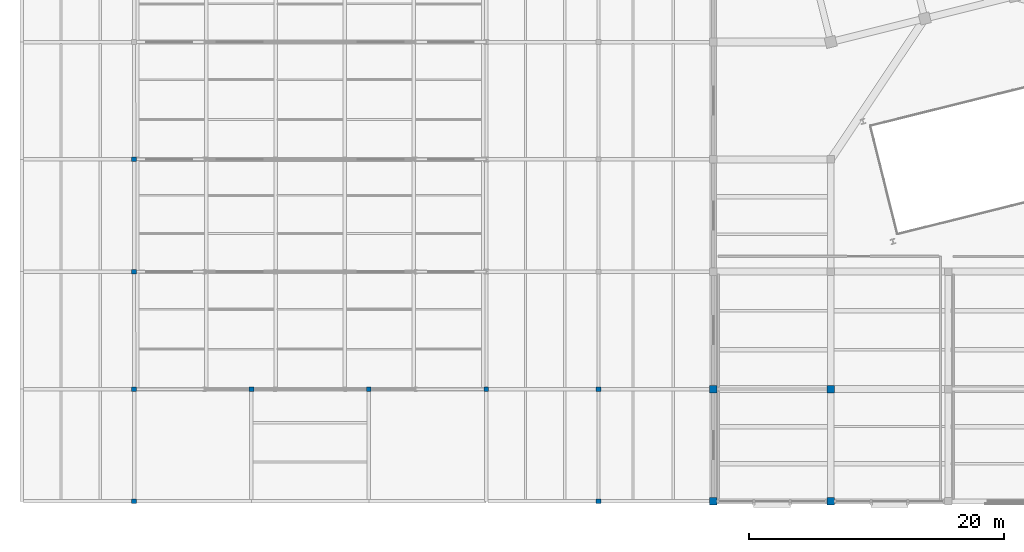
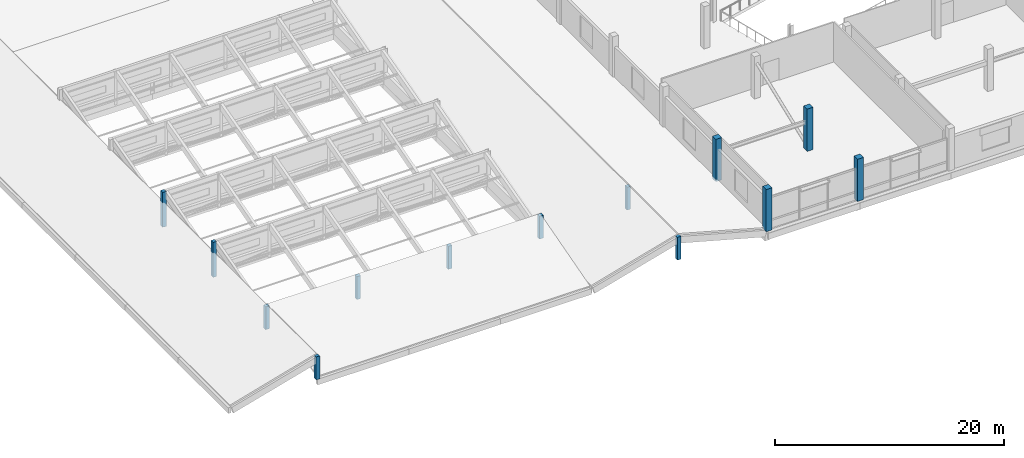
# One storey, part 1 of 77: 13 columns.
"""IFC4 building model written with IfcOpenShell, lengths in metres."""

import ifcopenshell
import ifcopenshell.guid

model = None  # the IFC model being written
_history = None  # IfcOwnerHistory: only IFC2X3 demands one
_inside = {}  # id of a spatial element -> (the spatial element, [elements in it])
_under = {}  # id of a project, library or spatial element -> (it, [spatial elements below it])
_declared = {}  # id of a project -> (the project, [libraries it declares])
_typed = {}  # id of a type object -> (the type object, [elements of that type])
_made_of = {}  # id of a material, layer set ... -> (it, [elements and type objects made of it])


def new_model(schema):
    """Start an empty IFC model of exactly this schema.

    Asked for "IFC4X3", IfcOpenShell would pick the latest addendum, in which some entities
    have other attributes; the version numbers below select the first issue.
    IFC2X3 requires an IfcOwnerHistory on every rooted entity: one is made here for all.
    """
    global model, _history
    if schema == "IFC4X3":
        model = ifcopenshell.file(schema_version=(4, 3, 0, 0))
    else:
        model = ifcopenshell.file(schema=schema)
    _inside.clear()
    _under.clear()
    _declared.clear()
    _typed.clear()
    _made_of.clear()
    _history = None
    if model.schema == "IFC2X3":
        org = make("IfcOrganization", Name="unknown")
        user = make(
            "IfcPersonAndOrganization",
            ThePerson=make("IfcPerson", FamilyName="unknown"),
            TheOrganization=org,
        )
        app = make(
            "IfcApplication",
            ApplicationDeveloper=org,
            Version="unknown",
            ApplicationFullName="unknown",
            ApplicationIdentifier="unknown",
        )
        _history = make(
            "IfcOwnerHistory",
            OwningUser=user,
            OwningApplication=app,
            ChangeAction="ADDED",
            CreationDate=0,
        )
    return model


def make(cls, **values):
    """One entity of the class cls with the attributes given. An attribute that is None is left unset."""
    return model.create_entity(
        cls, **{name: value for name, value in values.items() if value is not None}
    )


def rooted(cls, **values):
    """An entity with a GlobalId (a new one), such as an element, a storey or a relation."""
    return make(cls, GlobalId=ifcopenshell.guid.new(), OwnerHistory=_history, **values)


def si_unit(unit_type, name, prefix=None):
    """IfcSIUnit, for example si_unit("LENGTHUNIT", "METRE", prefix="MILLI")."""
    return make("IfcSIUnit", UnitType=unit_type, Prefix=prefix, Name=name)


def assignment(units):
    """IfcUnitAssignment: the units of a project."""
    return None if units is None else make("IfcUnitAssignment", Units=units)


def point(xyz):
    """IfcCartesianPoint."""
    return None if xyz is None else make("IfcCartesianPoint", Coordinates=xyz)


def direction(xyz):
    """IfcDirection."""
    return None if xyz is None else make("IfcDirection", DirectionRatios=xyz)


def frame(location, z_axis=None, x_axis=None):
    """IfcAxis2Placement3D, a coordinate frame: its origin and axes. An axis left out is left unset."""
    return make(
        "IfcAxis2Placement3D",
        Location=point(location),
        Axis=direction(z_axis),
        RefDirection=direction(x_axis),
    )


def frame_2d(location, x_axis=None):
    """IfcAxis2Placement2D, a coordinate frame in the plane: its origin and x axis."""
    return make(
        "IfcAxis2Placement2D", Location=point(location), RefDirection=direction(x_axis)
    )


def origin():
    """The frame at (0, 0, 0) with its axes left unset."""
    return frame((0.0, 0.0, 0.0))


def origin_2d():
    """The frame at (0, 0) in the plane with its x axis left unset."""
    return frame_2d((0.0, 0.0))


def place(relative_to, where):
    """IfcLocalPlacement: puts the frame where relative to a parent placement (None: the world)."""
    return make(
        "IfcLocalPlacement", PlacementRelTo=relative_to, RelativePlacement=where
    )


def context(
    kind, dimensions, precision=None, world=None, true_north=None, identifier=None
):
    """IfcGeometricRepresentationContext, for example the 3D "Model" context."""
    return make(
        "IfcGeometricRepresentationContext",
        ContextIdentifier=identifier,
        ContextType=kind,
        CoordinateSpaceDimension=dimensions,
        Precision=precision,
        WorldCoordinateSystem=world,
        TrueNorth=true_north,
    )


def subcontext(parent, identifier, kind, view, scale=None):
    """IfcGeometricRepresentationSubContext, for example "Body" below "Model"."""
    return make(
        "IfcGeometricRepresentationSubContext",
        ContextIdentifier=identifier,
        ContextType=kind,
        ParentContext=parent,
        TargetScale=scale,
        TargetView=view,
    )


def project(units=None, contexts=None):
    """IfcProject with its units and contexts."""
    return rooted(
        "IfcProject",
        Name="project",
        RepresentationContexts=contexts,
        UnitsInContext=assignment(units),
    )


def spatial(cls, under=None, at=None, **own):
    """A site, building, storey or space (cls), placed at a placement, below another one or the project."""
    s = rooted(cls, ObjectPlacement=at, **own)
    if under is not None:
        _under.setdefault(under.id(), (under, []))[1].append(s)
    return s


def profile(cls, at=None, kind="AREA", **sizes):
    """A parametric profile (cls). Its sizes go by their IFC names, for example OverallWidth=200.0."""
    return make(cls, ProfileType=kind, Position=at, **sizes)


def rectangle(**sizes):
    """IfcRectangleProfileDef."""
    return profile("IfcRectangleProfileDef", **sizes)


def extrude(swept, where, along, depth):
    """IfcExtrudedAreaSolid: the profile swept, set in the frame where, extruded along a direction by depth."""
    return make(
        "IfcExtrudedAreaSolid",
        SweptArea=swept,
        Position=where,
        ExtrudedDirection=direction(along),
        Depth=depth,
    )


def shape(context_of_items, identifier, shape_type, items):
    """IfcShapeRepresentation: the items that make up one representation, for example the "Body"."""
    return make(
        "IfcShapeRepresentation",
        ContextOfItems=context_of_items,
        RepresentationIdentifier=identifier,
        RepresentationType=shape_type,
        Items=items,
    )


def material(Name=None, Category=None):
    """IfcMaterial."""
    return make("IfcMaterial", Name=Name, Category=Category)


def material_profile(
    of_material, cross_section, Name=None, Category=None, Priority=None
):
    """IfcMaterialProfile: a cross section and its material."""
    return make(
        "IfcMaterialProfile",
        Name=Name,
        Material=of_material,
        Profile=cross_section,
        Priority=Priority,
        Category=Category,
    )


def profile_set(profiles, Name=None, composite=None):
    """IfcMaterialProfileSet."""
    return make(
        "IfcMaterialProfileSet",
        Name=Name,
        MaterialProfiles=profiles,
        CompositeProfile=composite,
    )


def made_of(thing, what):
    """Note that an element or type object is made of a material, layer set ...; save() writes the relation."""
    if what is not None:
        _made_of.setdefault(what.id(), (what, []))[1].append(thing)
    return thing


def type_object(cls, material=None, **own):
    """A type object (cls), such as IfcWallType, which elements share."""
    return made_of(rooted(cls, **own), material)


def element(
    cls,
    number,
    at=None,
    inside=None,
    cuts=None,
    type_object=None,
    material=None,
    context=None,
    identifier="Body",
    shape_type=None,
    held_by="IfcProductDefinitionShape",
    body=None,
    shapes=None,
    **own,
):
    """One element of the class cls, such as IfcWall. Its Tag is "e" and its number.

    at: its placement. inside: the storey or other place that contains it. cuts: it is an
    opening in that element (IfcRelVoidsElement). A single representation is given by context,
    identifier, shape_type and body (its items); several are given by shapes. held_by: the class
    of the entity that holds the representations. save() writes the other relations.
    """
    e = rooted(cls, Tag="e%d" % number, ObjectPlacement=at, **own)
    if body is not None:
        shapes = [shape(context, identifier, shape_type, body)]
    if shapes is not None:
        e.Representation = make(held_by, Representations=shapes)
    if inside is not None:
        _inside.setdefault(inside.id(), (inside, []))[1].append(e)
    if cuts is not None:
        rooted(
            "IfcRelVoidsElement", RelatingBuildingElement=cuts, RelatedOpeningElement=e
        )
    if type_object is not None:
        _typed.setdefault(type_object.id(), (type_object, []))[1].append(e)
    return made_of(e, material)


def aggregate(whole, parts):
    """IfcRelAggregates: a whole, such as a stair, and the parts it consists of."""
    return rooted("IfcRelAggregates", RelatingObject=whole, RelatedObjects=parts)


def save(model, path):
    """Write the relations noted so far, then the file.

    IfcRelAggregates (storeys below a building ...), IfcRelContainedInSpatialStructure (elements
    in a storey), IfcRelDefinesByType, IfcRelAssociatesMaterial and IfcRelDeclares: one each for
    every whole, place, type object, material and project.
    """
    for whole, parts in _under.values():
        aggregate(whole, parts)
    for where, things in _inside.values():
        rooted(
            "IfcRelContainedInSpatialStructure",
            RelatedElements=things,
            RelatingStructure=where,
        )
    for kind, things in _typed.values():
        rooted("IfcRelDefinesByType", RelatedObjects=things, RelatingType=kind)
    for what, things in _made_of.values():
        rooted("IfcRelAssociatesMaterial", RelatedObjects=things, RelatingMaterial=what)
    for by, libraries in _declared.values():
        rooted("IfcRelDeclares", RelatingContext=by, RelatedDefinitions=libraries)
    model.write(path)


model = new_model("IFC4")

# Units and contexts
model_context = context("Model", 3, precision=1e-05, world=origin(), true_north=direction((0.0, 1.0)))
body_context = subcontext(model_context, "Body", "Model", "MODEL_VIEW")
ifc_project = project(units=[si_unit("LENGTHUNIT", "METRE"), si_unit("AREAUNIT", "SQUARE_METRE"), si_unit("VOLUMEUNIT", "CUBIC_METRE"), si_unit("PLANEANGLEUNIT", "RADIAN"), si_unit("MASSUNIT", "GRAM", prefix="KILO")], contexts=[model_context])

# Site, building, storey
site_placement = place(None, origin())
site = spatial("IfcSite", under=ifc_project, at=site_placement, CompositionType="ELEMENT")
building_placement = place(site_placement, origin())
building = spatial("IfcBuilding", under=site, at=building_placement, Name="Meriwether Solvik Hall", CompositionType="ELEMENT")
storey_placement = place(building_placement, frame((0.0, 0.0, 9.89990234375)))
storey = spatial("IfcBuildingStorey", under=building, at=storey_placement, Name="L02", CompositionType="ELEMENT", Elevation=9.89990234375)

# Columns
ifc_material_1 = material(Name="Glulam Douglas-Fir L2 GL28c", Category="wood")
ifc_material_profile_1 = material_profile(ifc_material_1, rectangle(XDim=0.364990234375, YDim=0.364990234375, at=origin_2d()), Name="GLC-365X365")
ifc_profile_set_1 = profile_set([ifc_material_profile_1], Name="Glulam Douglas-Fir L2 GL28c")
column_type_1 = type_object("IfcColumnType", Name="COL-GL-365X365", PredefinedType="COLUMN", material=ifc_profile_set_1)
for number, where, z_axis, x_axis, name in (
    (1, (14.0, 5.199951171875, 0.0), (0.0, 0.0, 1.0), (1.0, 0.0, 0.0), "Roof Ridge Post 2/A (L02)"),
    (2, (14.0, 14.0, 0.0), (0.0, 0.0, 1.0), (1.0, 0.0, 0.0), "Roof Ridge Post 2/B (L02)"),
):
    element("IfcColumn", number, at=place(storey_placement, frame(where, z_axis=z_axis, x_axis=x_axis)), inside=storey, type_object=column_type_1, Name=name, PredefinedType="COLUMN", context=body_context, shape_type="SweptSolid", body=[
        extrude(rectangle(XDim=0.364990234375, YDim=0.364990234375, at=origin_2d()), origin(), (0.0, 0.0, 1.0), 2.44091796875),
    ])
for number, where, z_axis, x_axis, name in (
    (3, (14.0, 23.199951171875, 0.0), (0.0, 0.0, 1.0), (1.0, 0.0, 0.0), "Roof Ridge Post 2/C (L02)"),
    (4, (14.0, 32.0, 0.0), (0.0, 0.0, 1.0), (1.0, 0.0, 0.0), "Roof Ridge Post 2/D (L02)"),
):
    element("IfcColumn", number, at=place(storey_placement, frame(where, z_axis=z_axis, x_axis=x_axis)), inside=storey, type_object=column_type_1, Name=name, PredefinedType="COLUMN", context=body_context, shape_type="SweptSolid", body=[
        extrude(rectangle(XDim=0.364990234375, YDim=0.364990234375, at=origin_2d()), origin(), (0.0, 0.0, 1.0), 3.72509765625),
    ])
for number, where, z_axis, x_axis, name in (
    (5, (23.199951171875, 14.0, 0.0), (0.0, 0.0, 1.0), (1.0, 0.0, 0.0), "Roof Ridge Post 3/B (L02)"),
    (6, (32.39990234375, 14.0, 0.0), (0.0, 0.0, 1.0), (1.0, 0.0, 0.0), "Roof Ridge Post 4/B (L02)"),
    (7, (41.60009765625, 14.0, 0.0), (0.0, 0.0, 1.0), (1.0, 0.0, 0.0), "Roof Ridge Post 5/B (L02)"),
):
    element("IfcColumn", number, at=place(storey_placement, frame(where, z_axis=z_axis, x_axis=x_axis)), inside=storey, type_object=column_type_1, Name=name, PredefinedType="COLUMN", context=body_context, shape_type="SweptSolid", body=[
        extrude(rectangle(XDim=0.364990234375, YDim=0.364990234375, at=origin_2d()), origin(), (0.0, 0.0, 1.0), 2.44091796875),
    ])
for number, where, z_axis, x_axis, name in (
    (8, (50.39990234375, 5.199951171875, 0.0), (0.0, 0.0, 1.0), (1.0, 0.0, 0.0), "Roof Ridge Post 6/A (L02)"),
    (9, (50.39990234375, 14.0, 0.0), (0.0, 0.0, 1.0), (1.0, 0.0, 0.0), "Roof Ridge Post 6/B (L02)"),
):
    element("IfcColumn", number, at=place(storey_placement, frame(where, z_axis=z_axis, x_axis=x_axis)), inside=storey, type_object=column_type_1, Name=name, PredefinedType="COLUMN", context=body_context, shape_type="SweptSolid", body=[
        extrude(rectangle(XDim=0.364990234375, YDim=0.364990234375, at=origin_2d()), origin(), (0.0, 0.0, 1.0), 2.441162109375),
    ])
ifc_material_2 = material(Name="Concrete C40/50", Category="concrete")
ifc_material_profile_2 = material_profile(ifc_material_2, rectangle(XDim=0.60009765625, YDim=0.60009765625, at=origin_2d()), Name="RCC-600X600")
ifc_profile_set_2 = profile_set([ifc_material_profile_2], Name="Concrete C40/50")
column_type_2 = type_object("IfcColumnType", Name="COL-RC-600", PredefinedType="COLUMN", material=ifc_profile_set_2)
for number, where, z_axis, x_axis, name in (
    (10, (59.39990234375, 5.199951171875, 0.0), (0.0, 0.0, 1.0), (1.0, 0.0, 0.0), "Podium Column 7/A (L02)"),
    (11, (59.39990234375, 14.0, 0.0), (0.0, 0.0, 1.0), (1.0, 0.0, 0.0), "Podium Column 7/B (L02)"),
    (12, (68.60009765625, 5.199951171875, 0.0), (0.0, 0.0, 1.0), (1.0, 0.0, 0.0), "Podium Column 8/A (L02)"),
    (13, (68.60009765625, 14.0, 0.0), (0.0, 0.0, 1.0), (1.0, 0.0, 0.0), "Podium Column 8/B (L02)"),
):
    element("IfcColumn", number, at=place(storey_placement, frame(where, z_axis=z_axis, x_axis=x_axis)), inside=storey, type_object=column_type_2, Name=name, PredefinedType="COLUMN", context=body_context, shape_type="SweptSolid", body=[
        extrude(rectangle(XDim=0.60009765625, YDim=0.60009765625, at=origin_2d()), origin(), (0.0, 0.0, 1.0), 4.5),
    ])

save(model, "model.ifc")
